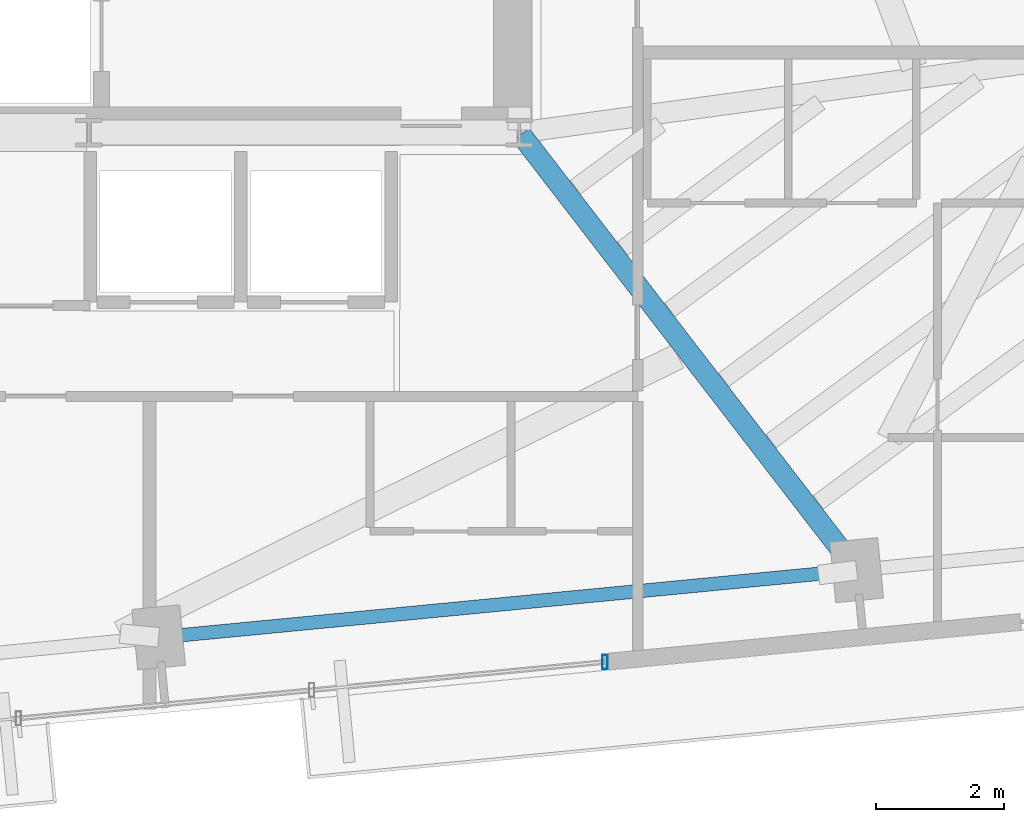
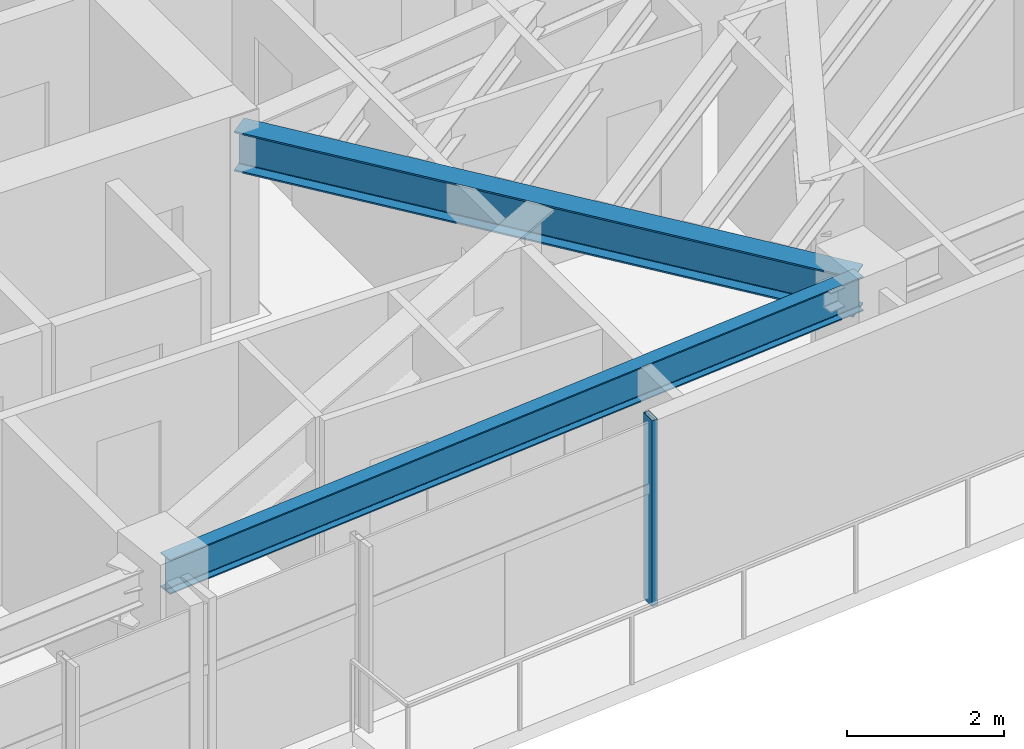
# One storey, part 8 of 18: 2 beams, 1 member, 1 element without a shape of its own.
"""IFC4 building model written with IfcOpenShell, lengths in metres."""

import ifcopenshell
import ifcopenshell.guid

model = None  # the IFC model being written
_history = None  # IfcOwnerHistory: only IFC2X3 demands one
_inside = {}  # id of a spatial element -> (the spatial element, [elements in it])
_under = {}  # id of a project, library or spatial element -> (it, [spatial elements below it])
_declared = {}  # id of a project -> (the project, [libraries it declares])
_typed = {}  # id of a type object -> (the type object, [elements of that type])
_made_of = {}  # id of a material, layer set ... -> (it, [elements and type objects made of it])


def new_model(schema):
    """Start an empty IFC model of exactly this schema.

    Asked for "IFC4X3", IfcOpenShell would pick the latest addendum, in which some entities
    have other attributes; the version numbers below select the first issue.
    IFC2X3 requires an IfcOwnerHistory on every rooted entity: one is made here for all.
    """
    global model, _history
    if schema == "IFC4X3":
        model = ifcopenshell.file(schema_version=(4, 3, 0, 0))
    else:
        model = ifcopenshell.file(schema=schema)
    _inside.clear()
    _under.clear()
    _declared.clear()
    _typed.clear()
    _made_of.clear()
    _history = None
    if model.schema == "IFC2X3":
        org = make("IfcOrganization", Name="unknown")
        user = make(
            "IfcPersonAndOrganization",
            ThePerson=make("IfcPerson", FamilyName="unknown"),
            TheOrganization=org,
        )
        app = make(
            "IfcApplication",
            ApplicationDeveloper=org,
            Version="unknown",
            ApplicationFullName="unknown",
            ApplicationIdentifier="unknown",
        )
        _history = make(
            "IfcOwnerHistory",
            OwningUser=user,
            OwningApplication=app,
            ChangeAction="ADDED",
            CreationDate=0,
        )
    return model


def make(cls, **values):
    """One entity of the class cls with the attributes given. An attribute that is None is left unset."""
    return model.create_entity(
        cls, **{name: value for name, value in values.items() if value is not None}
    )


def rooted(cls, **values):
    """An entity with a GlobalId (a new one), such as an element, a storey or a relation."""
    return make(cls, GlobalId=ifcopenshell.guid.new(), OwnerHistory=_history, **values)


def si_unit(unit_type, name, prefix=None):
    """IfcSIUnit, for example si_unit("LENGTHUNIT", "METRE", prefix="MILLI")."""
    return make("IfcSIUnit", UnitType=unit_type, Prefix=prefix, Name=name)


def assignment(units):
    """IfcUnitAssignment: the units of a project."""
    return None if units is None else make("IfcUnitAssignment", Units=units)


def point(xyz):
    """IfcCartesianPoint."""
    return None if xyz is None else make("IfcCartesianPoint", Coordinates=xyz)


def direction(xyz):
    """IfcDirection."""
    return None if xyz is None else make("IfcDirection", DirectionRatios=xyz)


def frame(location, z_axis=None, x_axis=None):
    """IfcAxis2Placement3D, a coordinate frame: its origin and axes. An axis left out is left unset."""
    return make(
        "IfcAxis2Placement3D",
        Location=point(location),
        Axis=direction(z_axis),
        RefDirection=direction(x_axis),
    )


def frame_2d(location, x_axis=None):
    """IfcAxis2Placement2D, a coordinate frame in the plane: its origin and x axis."""
    return make(
        "IfcAxis2Placement2D", Location=point(location), RefDirection=direction(x_axis)
    )


def origin():
    """The frame at (0, 0, 0) with its axes left unset."""
    return frame((0.0, 0.0, 0.0))


def origin_2d():
    """The frame at (0, 0) in the plane with its x axis left unset."""
    return frame_2d((0.0, 0.0))


def place(relative_to, where):
    """IfcLocalPlacement: puts the frame where relative to a parent placement (None: the world)."""
    return make(
        "IfcLocalPlacement", PlacementRelTo=relative_to, RelativePlacement=where
    )


def context(
    kind, dimensions, precision=None, world=None, true_north=None, identifier=None
):
    """IfcGeometricRepresentationContext, for example the 3D "Model" context."""
    return make(
        "IfcGeometricRepresentationContext",
        ContextIdentifier=identifier,
        ContextType=kind,
        CoordinateSpaceDimension=dimensions,
        Precision=precision,
        WorldCoordinateSystem=world,
        TrueNorth=true_north,
    )


def subcontext(parent, identifier, kind, view, scale=None):
    """IfcGeometricRepresentationSubContext, for example "Body" below "Model"."""
    return make(
        "IfcGeometricRepresentationSubContext",
        ContextIdentifier=identifier,
        ContextType=kind,
        ParentContext=parent,
        TargetScale=scale,
        TargetView=view,
    )


def project(units=None, contexts=None):
    """IfcProject with its units and contexts."""
    return rooted(
        "IfcProject",
        Name="project",
        RepresentationContexts=contexts,
        UnitsInContext=assignment(units),
    )


def spatial(cls, under=None, at=None, **own):
    """A site, building, storey or space (cls), placed at a placement, below another one or the project."""
    s = rooted(cls, ObjectPlacement=at, **own)
    if under is not None:
        _under.setdefault(under.id(), (under, []))[1].append(s)
    return s


def profile(cls, at=None, kind="AREA", **sizes):
    """A parametric profile (cls). Its sizes go by their IFC names, for example OverallWidth=200.0."""
    return make(cls, ProfileType=kind, Position=at, **sizes)


def hollow_rectangle(**sizes):
    """IfcRectangleHollowProfileDef."""
    return profile("IfcRectangleHollowProfileDef", **sizes)


def i_section(**sizes):
    """IfcIShapeProfileDef."""
    return profile("IfcIShapeProfileDef", **sizes)


def extrude(swept, where, along, depth):
    """IfcExtrudedAreaSolid: the profile swept, set in the frame where, extruded along a direction by depth."""
    return make(
        "IfcExtrudedAreaSolid",
        SweptArea=swept,
        Position=where,
        ExtrudedDirection=direction(along),
        Depth=depth,
    )


def shape(context_of_items, identifier, shape_type, items):
    """IfcShapeRepresentation: the items that make up one representation, for example the "Body"."""
    return make(
        "IfcShapeRepresentation",
        ContextOfItems=context_of_items,
        RepresentationIdentifier=identifier,
        RepresentationType=shape_type,
        Items=items,
    )


def source(mapping_origin, context_of_items, identifier, shape_type, items):
    """IfcRepresentationMap: a shape defined once, which mapped items show again and again."""
    return make(
        "IfcRepresentationMap",
        MappingOrigin=mapping_origin,
        MappedRepresentation=shape(context_of_items, identifier, shape_type, items),
    )


def transform(
    local_origin,
    x_axis=None,
    y_axis=None,
    z_axis=None,
    scale=None,
    scale2=None,
    scale3=None,
    uniform=True,
):
    """IfcCartesianTransformationOperator3D, or its non-uniform kind. x_axis, y_axis, z_axis: its Axis1, 2, 3."""
    if uniform:
        return make(
            "IfcCartesianTransformationOperator3D",
            Axis1=direction(x_axis),
            Axis2=direction(y_axis),
            LocalOrigin=point(local_origin),
            Scale=scale,
            Axis3=direction(z_axis),
        )
    return make(
        "IfcCartesianTransformationOperator3DnonUniform",
        Axis1=direction(x_axis),
        Axis2=direction(y_axis),
        LocalOrigin=point(local_origin),
        Scale=scale,
        Axis3=direction(z_axis),
        Scale2=scale2,
        Scale3=scale3,
    )


def mapped(mapping_source, mapping_target):
    """IfcMappedItem: shows the shape of a source again, moved by a transform."""
    return make(
        "IfcMappedItem", MappingSource=mapping_source, MappingTarget=mapping_target
    )


def material(Name=None, Category=None):
    """IfcMaterial."""
    return make("IfcMaterial", Name=Name, Category=Category)


def material_profile(
    of_material, cross_section, Name=None, Category=None, Priority=None
):
    """IfcMaterialProfile: a cross section and its material."""
    return make(
        "IfcMaterialProfile",
        Name=Name,
        Material=of_material,
        Profile=cross_section,
        Priority=Priority,
        Category=Category,
    )


def profile_set(profiles, Name=None, composite=None):
    """IfcMaterialProfileSet."""
    return make(
        "IfcMaterialProfileSet",
        Name=Name,
        MaterialProfiles=profiles,
        CompositeProfile=composite,
    )


def made_of(thing, what):
    """Note that an element or type object is made of a material, layer set ...; save() writes the relation."""
    if what is not None:
        _made_of.setdefault(what.id(), (what, []))[1].append(thing)
    return thing


def type_object(cls, material=None, **own):
    """A type object (cls), such as IfcWallType, which elements share."""
    return made_of(rooted(cls, **own), material)


def type_shapes(of_type, sources):
    """Give a type object the sources (RepresentationMaps) that its elements show as mapped items."""
    of_type.RepresentationMaps = sources


def element(
    cls,
    number,
    at=None,
    inside=None,
    cuts=None,
    type_object=None,
    material=None,
    context=None,
    identifier="Body",
    shape_type=None,
    held_by="IfcProductDefinitionShape",
    body=None,
    shapes=None,
    **own,
):
    """One element of the class cls, such as IfcWall. Its Tag is "e" and its number.

    at: its placement. inside: the storey or other place that contains it. cuts: it is an
    opening in that element (IfcRelVoidsElement). A single representation is given by context,
    identifier, shape_type and body (its items); several are given by shapes. held_by: the class
    of the entity that holds the representations. save() writes the other relations.
    """
    e = rooted(cls, Tag="e%d" % number, ObjectPlacement=at, **own)
    if body is not None:
        shapes = [shape(context, identifier, shape_type, body)]
    if shapes is not None:
        e.Representation = make(held_by, Representations=shapes)
    if inside is not None:
        _inside.setdefault(inside.id(), (inside, []))[1].append(e)
    if cuts is not None:
        rooted(
            "IfcRelVoidsElement", RelatingBuildingElement=cuts, RelatedOpeningElement=e
        )
    if type_object is not None:
        _typed.setdefault(type_object.id(), (type_object, []))[1].append(e)
    return made_of(e, material)


def aggregate(whole, parts):
    """IfcRelAggregates: a whole, such as a stair, and the parts it consists of."""
    return rooted("IfcRelAggregates", RelatingObject=whole, RelatedObjects=parts)


def save(model, path):
    """Write the relations noted so far, then the file.

    IfcRelAggregates (storeys below a building ...), IfcRelContainedInSpatialStructure (elements
    in a storey), IfcRelDefinesByType, IfcRelAssociatesMaterial and IfcRelDeclares: one each for
    every whole, place, type object, material and project.
    """
    for whole, parts in _under.values():
        aggregate(whole, parts)
    for where, things in _inside.values():
        rooted(
            "IfcRelContainedInSpatialStructure",
            RelatedElements=things,
            RelatingStructure=where,
        )
    for kind, things in _typed.values():
        rooted("IfcRelDefinesByType", RelatedObjects=things, RelatingType=kind)
    for what, things in _made_of.values():
        rooted("IfcRelAssociatesMaterial", RelatedObjects=things, RelatingMaterial=what)
    for by, libraries in _declared.values():
        rooted("IfcRelDeclares", RelatingContext=by, RelatedDefinitions=libraries)
    model.write(path)


model = new_model("IFC4")

# Units and contexts
model_context = context("Model", 3, precision=1e-05, world=origin(), true_north=direction((0.0, 1.0)))
body_context = subcontext(model_context, "Body", "Model", "MODEL_VIEW")
ifc_project = project(units=[si_unit("LENGTHUNIT", "METRE"), si_unit("AREAUNIT", "SQUARE_METRE"), si_unit("VOLUMEUNIT", "CUBIC_METRE"), si_unit("PLANEANGLEUNIT", "RADIAN"), si_unit("MASSUNIT", "GRAM", prefix="KILO")], contexts=[model_context])

# Site, building, storey
site_placement = place(None, origin())
site = spatial("IfcSite", under=ifc_project, at=site_placement, CompositionType="ELEMENT")
building_placement = place(site_placement, origin())
building = spatial("IfcBuilding", under=site, at=building_placement, Name="Astriad Promenade Condominiums", CompositionType="ELEMENT")
storey_placement = place(building_placement, frame((0.0, 0.0, 208.199951171875)))
storey = spatial("IfcBuildingStorey", under=building, at=storey_placement, Name="L60", CompositionType="ELEMENT", Elevation=208.199951171875)

# Beams
ifc_material_1 = material(Name="Steel ASTM A992 Grade 50", Category="steel")
ifc_material_profile_1 = material_profile(ifc_material_1, i_section(OverallWidth=0.210693359375, OverallDepth=0.53955078125, WebThickness=0.01171875, FlangeThickness=0.018798828125, FilletRadius=0.0166015625, at=origin_2d()), Name="W21X73")
ifc_profile_set_1 = profile_set([ifc_material_profile_1], Name="Steel ASTM A992 Grade 50")
beam_type_1 = type_object("IfcBeamType", Name="STEEL SPANDREL BEAM W21X73", PredefinedType="SPANDREL", material=ifc_profile_set_1)
shared_shape_1 = source(origin(), body_context, "Body", "SweptSolid", [
    extrude(i_section(OverallWidth=0.210693359375, OverallDepth=0.53955078125, WebThickness=0.01171875, FlangeThickness=0.018798828125, FilletRadius=0.0166015625, at=origin_2d()), origin(), (0.0, 0.0, 1.0), 10.8701171875),
])
type_shapes(beam_type_1, [shared_shape_1])
beam_1_placement = place(storey_placement, frame((40.008544921875, 9.520751953125, 2.63037109375), z_axis=(0.995397128983, 0.095836087217, 0.0), x_axis=(-0.095836087217, 0.995397128983, 0.0)))
element("IfcBeam", 1, at=beam_1_placement, inside=storey, type_object=beam_type_1, Name="Perimeter Spandrel Beam SP-S3-L60", PredefinedType="SPANDREL", context=body_context, shape_type="MappedRepresentation", body=[
    mapped(shared_shape_1, transform((0.0, 0.0, 0.0), scale=1.0)),
])
ifc_material_profile_2 = material_profile(ifc_material_1, i_section(OverallWidth=0.326416015625, OverallDepth=0.621826171875, WebThickness=0.015380859375, FlangeThickness=0.0244140625, FilletRadius=0.017822265625, at=origin_2d()), Name="W24X131")
ifc_profile_set_2 = profile_set([ifc_material_profile_2], Name="Steel ASTM A992 Grade 50")
beam_type_2 = type_object("IfcBeamType", Name="STEEL FLOOR GIRDER W24X131", PredefinedType="BEAM", material=ifc_profile_set_2)
shared_shape_2 = source(origin(), body_context, "Body", "SweptSolid", [
    extrude(i_section(OverallWidth=0.326416015625, OverallDepth=0.621826171875, WebThickness=0.015380859375, FlangeThickness=0.0244140625, FilletRadius=0.017822265625, at=origin_2d()), origin(), (0.0, 0.0, 1.0), 8.548583984375),
])
type_shapes(beam_type_2, [shared_shape_2])
beam_2_placement = place(storey_placement, frame((50.843994140625, 10.59814453125, 2.589111328125), z_axis=(-0.610561975536, 0.791968480452, 0.0), x_axis=(-0.791968480452, -0.610561975536, 0.0)))
element("IfcBeam", 2, at=beam_2_placement, inside=storey, type_object=beam_type_2, Name="Primary Floor Girder PG-E2-L60", PredefinedType="BEAM", context=body_context, shape_type="MappedRepresentation", body=[
    mapped(shared_shape_2, transform((0.0, 0.0, 0.0), scale=1.0)),
])

# Curtain wall, member
ifc_material_2 = material(Name="Anodised aluminium Black Dark Glass Unitised", Category="aluminium")
curtain_wall_type = type_object("IfcCurtainWallType", Name="CW-B34-DARK", PredefinedType="USERDEFINED", material=ifc_material_2)
curtain_wall_placement = place(storey_placement, origin())
curtain_wall = element("IfcCurtainWall", 3, at=curtain_wall_placement, inside=storey, type_object=curtain_wall_type, Name="CW-L60-S", ObjectType="UNITISED_CURTAIN_WALL", PredefinedType="USERDEFINED")
ifc_material_3 = material(Name="Anodised aluminium 6063-T6 Black", Category="aluminium")
ifc_material_profile_3 = material_profile(ifc_material_3, hollow_rectangle(XDim=0.0849609375, YDim=0.219970703125, WallThickness=0.0048828125, at=origin_2d()), Name="ALU-MUL-85X220")
ifc_profile_set_3 = profile_set([ifc_material_profile_3], Name="Anodised aluminium 6063-T6 Black")
member_type = type_object("IfcMemberType", Name="MUL-ALU-MUL-85X220", PredefinedType="MULLION", material=ifc_profile_set_3)
shared_shape_3 = source(origin(), body_context, "Body", "SweptSolid", [
    extrude(hollow_rectangle(XDim=0.0849609375, YDim=0.219970703125, WallThickness=0.0048828125, at=origin_2d()), origin(), (0.0, 0.0, 1.0), 2.900146484375),
])
type_shapes(member_type, [shared_shape_3])
member_placement = place(storey_placement, frame((46.9375, 9.133056640625, 0.0), z_axis=(0.0, 0.0, 1.0), x_axis=(1.0, 0.0, 0.0)))
member = element("IfcMember", 4, at=member_placement, type_object=member_type, Name="CW-L60-S-MUL-00", PredefinedType="MULLION", context=body_context, shape_type="MappedRepresentation", body=[
    mapped(shared_shape_3, transform((0.0, 0.0, 0.0), scale=1.0)),
])
aggregate(curtain_wall, [member])

save(model, "model.ifc")
